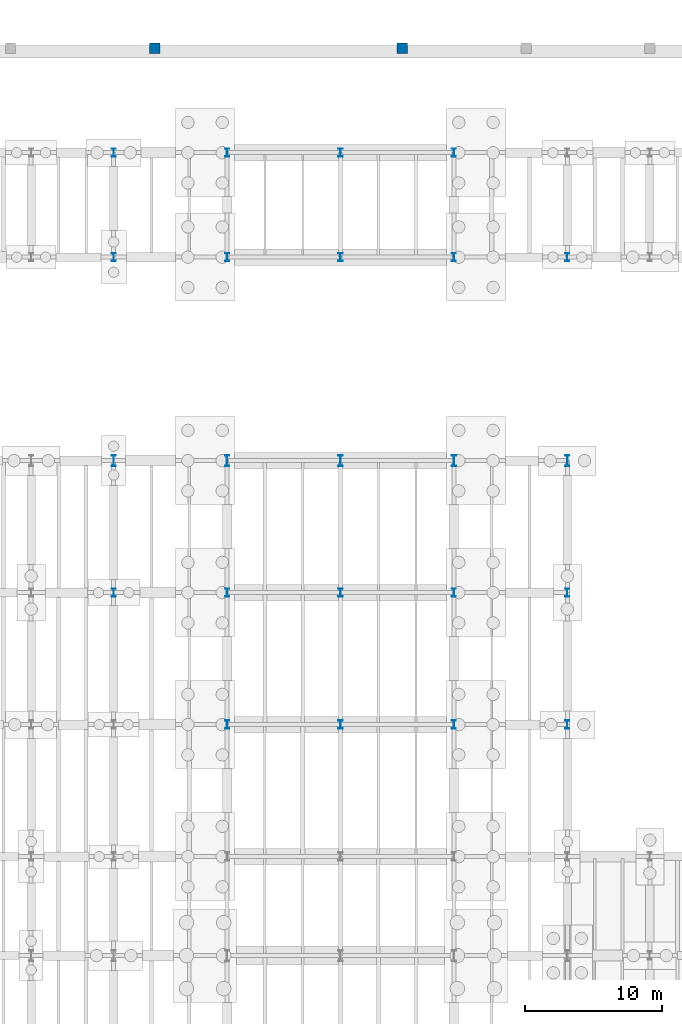
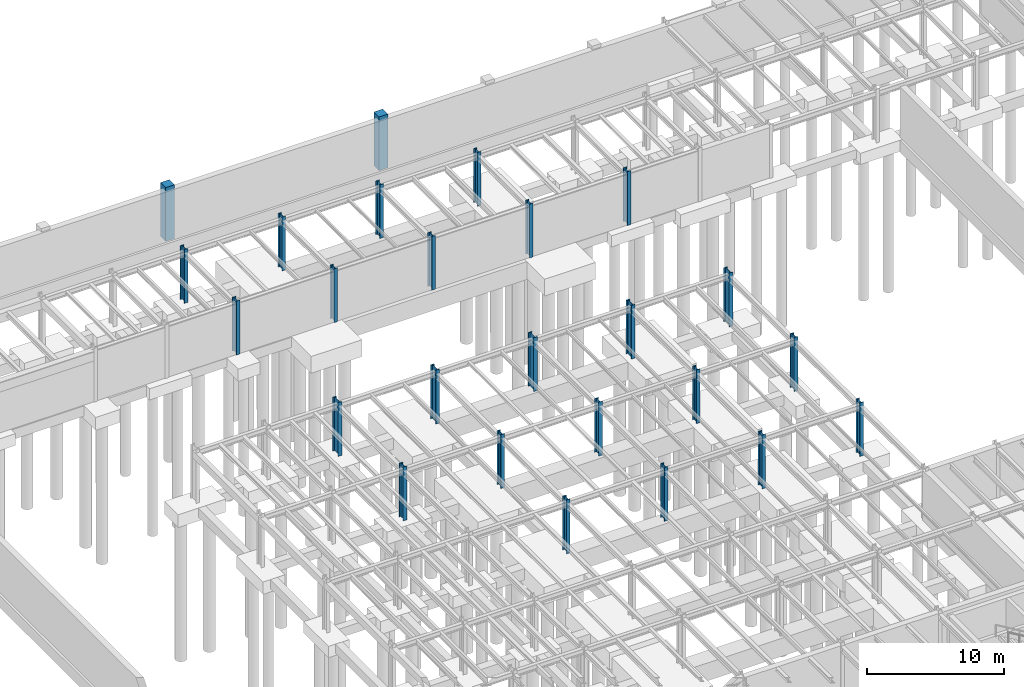
# One storey, part 24 of 59: 25 columns.
"""IFC4 building model written with IfcOpenShell, lengths in metres."""

from ifc_helpers import new_model, si_unit, direction, frame, origin, origin_2d, place, context, subcontext, project, spatial, rectangle, i_section, extrude, material, material_profile, profile_set, type_object, element, save


model = new_model("IFC4")

# Units and contexts
model_context = context("Model", 3, precision=1e-05, world=origin(), true_north=direction((0.0, 1.0)))
body_context = subcontext(model_context, "Body", "Model", "MODEL_VIEW")
ifc_project = project(units=[si_unit("LENGTHUNIT", "METRE"), si_unit("AREAUNIT", "SQUARE_METRE"), si_unit("VOLUMEUNIT", "CUBIC_METRE"), si_unit("PLANEANGLEUNIT", "RADIAN"), si_unit("MASSUNIT", "GRAM", prefix="KILO")], contexts=[model_context])

# Site, building, storey
site_placement = place(None, origin())
site = spatial("IfcSite", under=ifc_project, at=site_placement, CompositionType="ELEMENT")
building_placement = place(site_placement, origin())
building = spatial("IfcBuilding", under=site, at=building_placement, Name="Montealbar Specialist Clinic", CompositionType="ELEMENT")
storey_placement = place(building_placement, frame((0.0, 0.0, -4.800048828125)))
storey = spatial("IfcBuildingStorey", under=building, at=storey_placement, Name="B01", CompositionType="ELEMENT", Elevation=-4.800048828125)

# Columns
ifc_material_1 = material(Name="Steel S355", Category="steel")
ifc_material_profile_1 = material_profile(ifc_material_1, i_section(OverallWidth=0.302978515625, OverallDepth=0.81396484375, WebThickness=0.02099609375, FlangeThickness=0.0400390625, FilletRadius=0.030029296875, at=origin_2d()), Name="HEM 800", Category="steel")
ifc_profile_set_1 = profile_set([ifc_material_profile_1], Name="Steel S355")
column_type_1 = type_object("IfcColumnType", Name="COL-S-B01-HVY-EXT", PredefinedType="COLUMN", material=ifc_profile_set_1)
for number, where, z_axis, x_axis, name in (
    (1, (66.0, 81.0, 0.0), (0.0, 0.0, 1.0), (1.0, 0.0, 0.0), "Column 9/K B01"),
    (2, (74.25, 81.0, 0.0), (0.0, 0.0, 1.0), (1.0, 0.0, 0.0), "Column 10/K B01"),
    (3, (82.5, 81.0, 0.0), (0.0, 0.0, 1.0), (1.0, 0.0, 0.0), "Column 11/K B01"),
    (4, (90.75, 81.0, 0.0), (0.0, 0.0, 1.0), (1.0, 0.0, 0.0), "Column 12/K B01"),
    (5, (99.0, 81.0, 0.0), (0.0, 0.0, 1.0), (1.0, 0.0, 0.0), "Column 13/K B01"),
):
    element("IfcColumn", number, at=place(storey_placement, frame(where, z_axis=z_axis, x_axis=x_axis)), inside=storey, type_object=column_type_1, Name=name, PredefinedType="COLUMN", context=body_context, shape_type="SweptSolid", body=[
        extrude(i_section(OverallWidth=0.302978515625, OverallDepth=0.81396484375, WebThickness=0.02099609375, FlangeThickness=0.0400390625, FilletRadius=0.030029296875, at=origin_2d()), origin(), (0.0, 0.0, 1.0), 4.800048828125),
    ])
ifc_material_profile_2 = material_profile(ifc_material_1, i_section(OverallWidth=0.300048828125, OverallDepth=0.60009765625, WebThickness=0.015380859375, FlangeThickness=0.030029296875, FilletRadius=0.027099609375, at=origin_2d()), Name="HEB 600", Category="steel")
ifc_profile_set_2 = profile_set([ifc_material_profile_2], Name="Steel S355")
column_type_2 = type_object("IfcColumnType", Name="COL-S-B01-STD-EXT", PredefinedType="COLUMN", material=ifc_profile_set_2)
for number, where, z_axis, x_axis, name in (
    (6, (66.0, 71.39990234375, 0.0), (0.0, 0.0, 1.0), (1.0, 0.0, 0.0), "Column 9/J B01"),
    (7, (66.0, 95.800048828125, 0.0), (0.0, 0.0, 1.0), (1.0, 0.0, 0.0), "Column 9/M B01"),
    (8, (66.0, 103.39990234375, 0.0), (0.0, 0.0, 1.0), (1.0, 0.0, 0.0), "Column 9/N B01"),
    (9, (74.25, 61.800048828125, 0.0), (0.0, 0.0, 1.0), (1.0, 0.0, 0.0), "Column 10/H B01"),
    (10, (74.25, 71.39990234375, 0.0), (0.0, 0.0, 1.0), (1.0, 0.0, 0.0), "Column 10/J B01"),
    (11, (74.25, 95.800048828125, 0.0), (0.0, 0.0, 1.0), (1.0, 0.0, 0.0), "Column 10/M B01"),
    (12, (74.25, 103.39990234375, 0.0), (0.0, 0.0, 1.0), (1.0, 0.0, 0.0), "Column 10/N B01"),
    (13, (82.5, 61.800048828125, 0.0), (0.0, 0.0, 1.0), (1.0, 0.0, 0.0), "Column 11/H B01"),
    (14, (82.5, 71.39990234375, 0.0), (0.0, 0.0, 1.0), (1.0, 0.0, 0.0), "Column 11/J B01"),
    (15, (82.5, 95.800048828125, 0.0), (0.0, 0.0, 1.0), (1.0, 0.0, 0.0), "Column 11/M B01"),
    (16, (82.5, 103.39990234375, 0.0), (0.0, 0.0, 1.0), (1.0, 0.0, 0.0), "Column 11/N B01"),
    (17, (90.75, 61.800048828125, 0.0), (0.0, 0.0, 1.0), (1.0, 0.0, 0.0), "Column 12/H B01"),
    (18, (90.75, 71.39990234375, 0.0), (0.0, 0.0, 1.0), (1.0, 0.0, 0.0), "Column 12/J B01"),
    (19, (90.75, 95.800048828125, 0.0), (0.0, 0.0, 1.0), (1.0, 0.0, 0.0), "Column 12/M B01"),
    (20, (90.75, 103.39990234375, 0.0), (0.0, 0.0, 1.0), (1.0, 0.0, 0.0), "Column 12/N B01"),
    (21, (99.0, 61.800048828125, 0.0), (0.0, 0.0, 1.0), (1.0, 0.0, 0.0), "Column 13/H B01"),
    (22, (99.0, 71.39990234375, 0.0), (0.0, 0.0, 1.0), (1.0, 0.0, 0.0), "Column 13/J B01"),
    (23, (99.0, 95.800048828125, 0.0), (0.0, 0.0, 1.0), (1.0, 0.0, 0.0), "Column 13/M B01"),
):
    element("IfcColumn", number, at=place(storey_placement, frame(where, z_axis=z_axis, x_axis=x_axis)), inside=storey, type_object=column_type_2, Name=name, PredefinedType="COLUMN", context=body_context, shape_type="SweptSolid", body=[
        extrude(i_section(OverallWidth=0.300048828125, OverallDepth=0.60009765625, WebThickness=0.015380859375, FlangeThickness=0.030029296875, FilletRadius=0.027099609375, at=origin_2d()), origin(), (0.0, 0.0, 1.0), 4.800048828125),
    ])
ifc_material_2 = material(Name="Guadarrama granite ashlar", Category="masonry")
ifc_material_profile_3 = material_profile(ifc_material_2, rectangle(XDim=0.75, YDim=0.75, at=origin_2d()), Name="GRANITE PILASTER 750x750", Category="masonry")
ifc_profile_set_3 = profile_set([ifc_material_profile_3], Name="Guadarrama granite ashlar")
column_type_3 = type_object("IfcColumnType", Name="PIL-PM-GIANT-INT", PredefinedType="PILASTER", material=ifc_profile_set_3)
for number, where, z_axis, x_axis, name in (
    (24, (69.0, 111.0, 0.0), (0.0, 0.0, 1.0), (1.0, 0.0, 0.0), "Column NP6/P B01"),
    (25, (87.0, 111.0, 0.0), (0.0, 0.0, 1.0), (1.0, 0.0, 0.0), "Column NP7/P B01"),
):
    element("IfcColumn", number, at=place(storey_placement, frame(where, z_axis=z_axis, x_axis=x_axis)), inside=storey, type_object=column_type_3, Name=name, PredefinedType="PILASTER", context=body_context, shape_type="SweptSolid", body=[
        extrude(rectangle(XDim=0.75, YDim=0.75, at=origin_2d()), origin(), (0.0, 0.0, 1.0), 4.800048828125),
    ])

save(model, "model.ifc")
